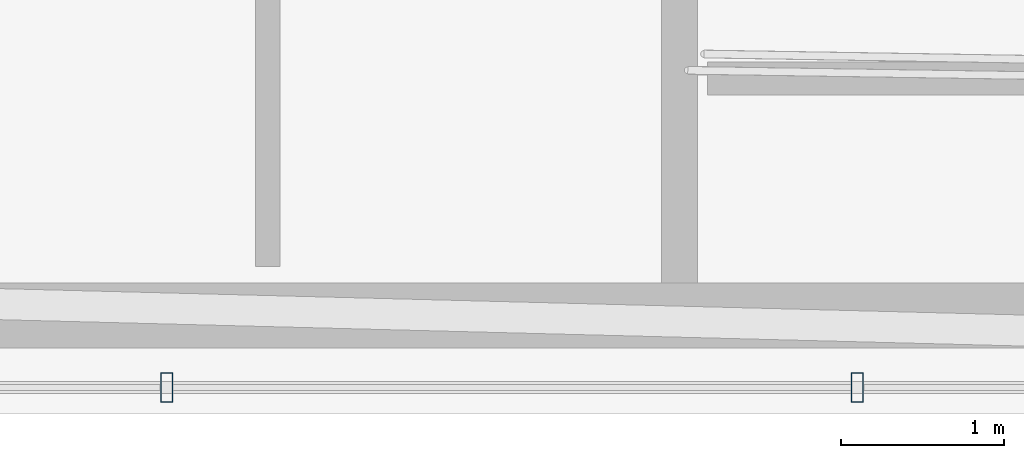
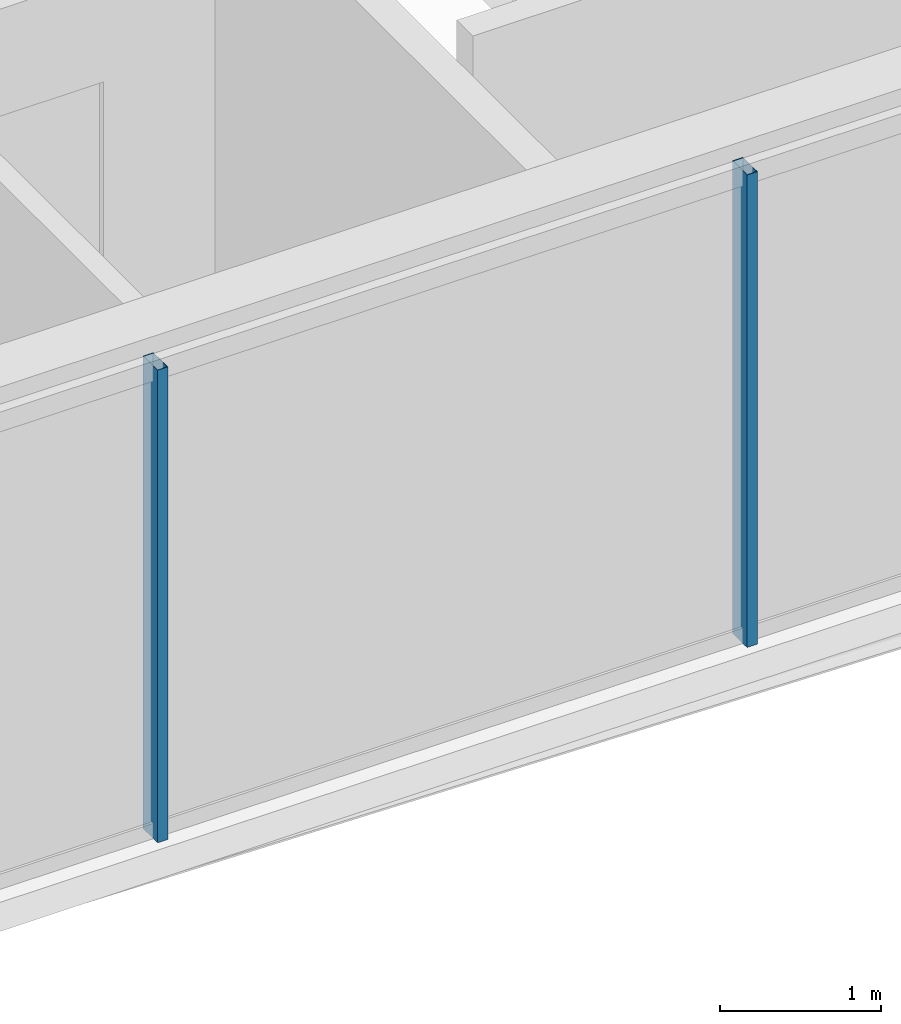
# One storey, part 6 of 33: 2 members, 1 element without a shape of its own.
"""IFC4 building model written with IfcOpenShell, lengths in metres."""

from ifc_helpers import new_model, si_unit, direction, frame, origin, origin_2d, place, context, subcontext, project, spatial, hollow_rectangle, extrude, material, layer, layer_set, material_profile, profile_set, type_object, element, aggregate, save


model = new_model("IFC4")

# Units and contexts
model_context = context("Model", 3, precision=1e-05, world=origin(), true_north=direction((0.0, 1.0)))
body_context = subcontext(model_context, "Body", "Model", "MODEL_VIEW")
ifc_project = project(units=[si_unit("LENGTHUNIT", "METRE"), si_unit("AREAUNIT", "SQUARE_METRE"), si_unit("VOLUMEUNIT", "CUBIC_METRE"), si_unit("PLANEANGLEUNIT", "RADIAN"), si_unit("MASSUNIT", "GRAM", prefix="KILO")], contexts=[model_context])

# Site, building, storey
site_placement = place(None, origin())
site = spatial("IfcSite", under=ifc_project, at=site_placement, CompositionType="ELEMENT")
building_placement = place(site_placement, origin())
building = spatial("IfcBuilding", under=site, at=building_placement, Name="Ndaravel Arena Tower", CompositionType="ELEMENT")
storey_placement = place(building_placement, frame((0.0, 0.0, 187.800048828125)))
storey = spatial("IfcBuildingStorey", under=building, at=storey_placement, Name="L45", CompositionType="ELEMENT", Elevation=187.800048828125)

# Curtain wall, members
ifc_material_1 = material(Name="Aluminium", Category="aluminium")
ifc_layer = layer(ifc_material_1, 0.179931640625)
ifc_layer_set = layer_set([ifc_layer], Name="Aluminium")
curtain_wall_type = type_object("IfcCurtainWallType", Name="CW-SYS-03", PredefinedType="NOTDEFINED", material=ifc_layer_set)
curtain_wall_placement = place(storey_placement, origin())
curtain_wall = element("IfcCurtainWall", 1, at=curtain_wall_placement, inside=storey, type_object=curtain_wall_type, Name="L45 Faceted Crystal Curtain Wall CW-L45-E01", PredefinedType="NOTDEFINED")
ifc_material_2 = material(Name="Aluminium", Category="aluminium")
ifc_material_profile = material_profile(ifc_material_2, hollow_rectangle(XDim=0.074951171875, YDim=0.179931640625, WallThickness=0.00390625, at=origin_2d()), Name="CW MULLION 75x180x4")
ifc_profile_set = profile_set([ifc_material_profile], Name="Aluminium")
member_type = type_object("IfcMemberType", Name="MEM-CW-MUL180", PredefinedType="MULLION", material=ifc_profile_set)
member_1_placement = place(storey_placement, frame((35.662109375, 5.159912109375, 0.0), z_axis=(0.0, 0.0, 1.0), x_axis=(1.0, 0.0, 0.0)))
member_1 = element("IfcMember", 2, at=member_1_placement, type_object=member_type, Name="CW-L45-E01 Mullion 03", PredefinedType="MULLION", context=body_context, shape_type="SweptSolid", body=[
    extrude(hollow_rectangle(XDim=0.074951171875, YDim=0.179931640625, WallThickness=0.00390625, at=origin_2d()), origin(), (0.0, 0.0, 1.0), 3.579833984375),
])
member_2_placement = place(storey_placement, frame((39.88720703125, 5.159912109375, 0.0), z_axis=(0.0, 0.0, 1.0), x_axis=(1.0, 0.0, 0.0)))
member_2 = element("IfcMember", 3, at=member_2_placement, type_object=member_type, Name="CW-L45-E01 Mullion 04", PredefinedType="MULLION", context=body_context, shape_type="SweptSolid", body=[
    extrude(hollow_rectangle(XDim=0.074951171875, YDim=0.179931640625, WallThickness=0.00390625, at=origin_2d()), origin(), (0.0, 0.0, 1.0), 3.579833984375),
])
aggregate(curtain_wall, [member_1, member_2])

save(model, "model.ifc")
